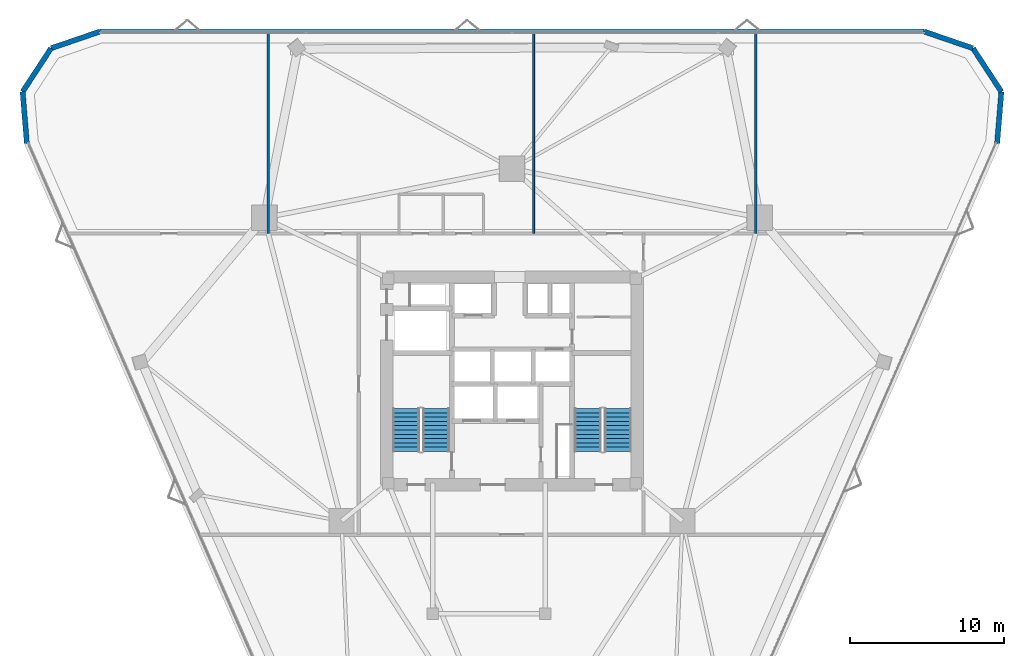
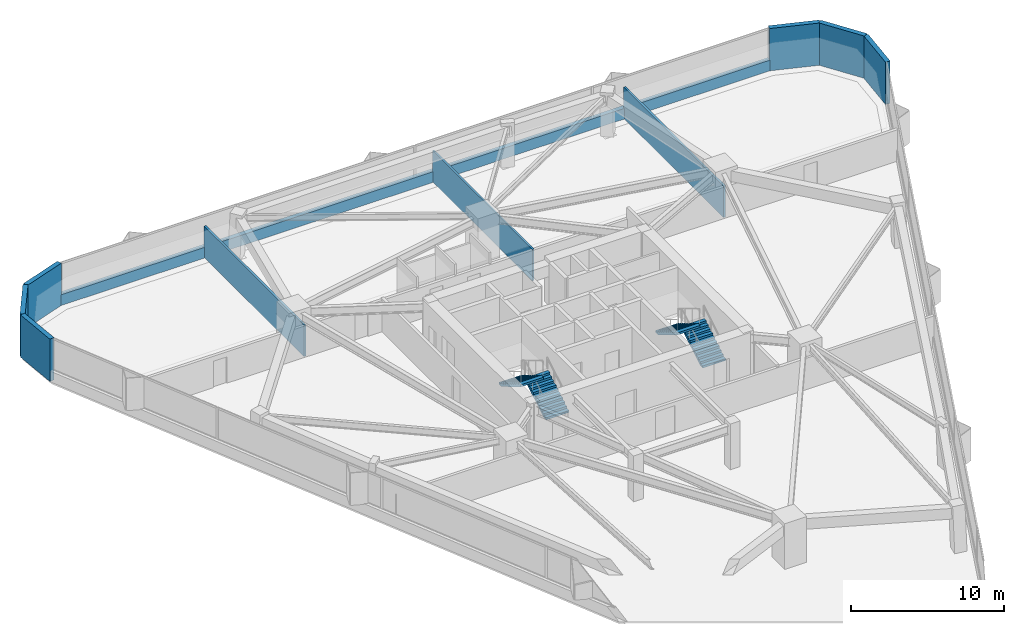
# One storey, part 18 of 20: 10 walls, 4 stair flights, 2 elements without a shape of their own.
"""IFC4 building model written with IfcOpenShell, lengths in metres."""

from ifc_helpers import new_model, si_unit, direction, frame, frame_2d, origin, place, context, subcontext, project, spatial, polyline, rectangle, outline, extrude, material, layer, layer_set, type_object, element, aggregate, save


model = new_model("IFC4")

# Units and contexts
model_context = context("Model", 3, precision=1e-05, world=origin(), true_north=direction((0.0, 1.0)))
body_context = subcontext(model_context, "Body", "Model", "MODEL_VIEW")
ifc_project = project(units=[si_unit("LENGTHUNIT", "METRE"), si_unit("AREAUNIT", "SQUARE_METRE"), si_unit("VOLUMEUNIT", "CUBIC_METRE"), si_unit("PLANEANGLEUNIT", "RADIAN"), si_unit("MASSUNIT", "GRAM", prefix="KILO")], contexts=[model_context])

# Site, building, storey
site_placement = place(None, origin())
site = spatial("IfcSite", under=ifc_project, at=site_placement, CompositionType="ELEMENT")
building_placement = place(site_placement, origin())
building = spatial("IfcBuilding", under=site, at=building_placement, Name="Talyreon Biosciences Tower", CompositionType="ELEMENT")
storey_placement = place(building_placement, frame((0.0, 0.0, 78.64990234375)))
storey = spatial("IfcBuildingStorey", under=building, at=storey_placement, Name="L20", CompositionType="ELEMENT", Elevation=78.64990234375)

# Walls
ifc_material_1 = material(Name="Gypsum acoustic stud partition", Category="gypsum")
ifc_layer_1 = layer(ifc_material_1, 0.159912109375)
ifc_layer_set_1 = layer_set([ifc_layer_1], Name="Gypsum acoustic stud partition")
wall_type_1 = type_object("IfcWallType", Name="LabSeparationPartition_160", PredefinedType="PARTITIONING", material=ifc_layer_set_1)
for number, where, z_axis, x_axis, name in (
    (1, (50.158935546875, 77.580078125, 0.0), (0.0, 0.0, 1.0), (0.0, 1.0, 0.0), "L20 Interior Wall IW-L20-NDIV1"),
    (2, (81.841064453125, 77.580078125, 0.0), (0.0, 0.0, 1.0), (0.0, 1.0, 0.0), "L20 Interior Wall IW-L20-NDIV3"),
):
    element("IfcWall", number, at=place(storey_placement, frame(where, z_axis=z_axis, x_axis=x_axis)), inside=storey, type_object=wall_type_1, Name=name, PredefinedType="PARTITIONING", context=body_context, shape_type="SweptSolid", body=[
        extrude(rectangle(XDim=13.05517578125, YDim=0.159912109375, at=frame_2d((6.527587890625, 0.0))), origin(), (0.0, 0.0, 1.0), 2.505126953125),
    ])
ifc_layer_2 = layer(ifc_material_1, 0.1298828125)
ifc_layer_set_2 = layer_set([ifc_layer_2], Name="Gypsum acoustic stud partition")
wall_type_2 = type_object("IfcWallType", Name="OfficeWriteupPartition_130", PredefinedType="PARTITIONING", material=ifc_layer_set_2)
wall_1_placement = place(storey_placement, frame((67.39990234375, 77.580078125, 0.0), z_axis=(0.0, 0.0, 1.0), x_axis=(0.0, 1.0, 0.0)))
element("IfcWall", 3, at=wall_1_placement, inside=storey, type_object=wall_type_2, Name="L20 Interior Wall IW-L20-NDIV2", PredefinedType="PARTITIONING", context=body_context, shape_type="SweptSolid", body=[
    extrude(rectangle(XDim=13.05517578125, YDim=0.1298828125, at=frame_2d((6.527587890625, 0.0))), origin(), (0.0, 0.0, 1.0), 2.505126953125),
])
ifc_material_2 = material(Name="Precast concrete C45/55", Category="concrete")
ifc_layer_3 = layer(ifc_material_2, 0.340087890625)
ifc_layer_set_3 = layer_set([ifc_layer_3], Name="Precast concrete C45/55")
wall_type_3 = type_object("IfcWallType", Name="PrecastConcreteSpandrelWall_340", PredefinedType="STANDARD", material=ifc_layer_set_3)
for number, where, z_axis, x_axis, name in (
    (4, (34.451171875, 83.436767578125, 0.0), (0.0, 0.0, 1.0), (-0.081668502706, 0.996659548525, 0.0), "L20 Rounded-Corner Concrete Pier 01"),
    (5, (34.175537109375, 86.800537109375, 0.0), (0.0, 0.0, 1.0), (0.547383837671, 0.836881672793, 0.0), "L20 Rounded-Corner Concrete Pier 02"),
    (6, (36.02294921875, 89.625, 0.0), (0.0, 0.0, 1.0), (0.945883789228, 0.324505558158, 0.0), "L20 Rounded-Corner Concrete Pier 03"),
):
    element("IfcWall", number, at=place(storey_placement, frame(where, z_axis=z_axis, x_axis=x_axis)), inside=storey, type_object=wall_type_3, Name=name, PredefinedType="STANDARD", context=body_context, shape_type="SweptSolid", body=[
        extrude(rectangle(XDim=3.375, YDim=0.340087890625, at=frame_2d((1.6875, 0.0))), origin(), (0.0, 0.0, 1.0), 3.375),
    ])
wall_2_placement = place(storey_placement, frame((39.21533203125, 90.72021484375, 0.0), z_axis=(0.0, 0.0, 1.0), x_axis=(1.0, 0.0, 0.0)))
element("IfcWall", 7, at=wall_2_placement, inside=storey, type_object=wall_type_3, Name="L20 Expressed Concrete Sill Wall 04", PredefinedType="STANDARD", context=body_context, shape_type="SweptSolid", body=[
    extrude(rectangle(XDim=53.5693359375, YDim=0.340087890625, at=frame_2d((26.78466796875, 0.0))), origin(), (0.0, 0.0, 1.0), 0.85009765625),
])
for number, where, z_axis, x_axis, name in (
    (8, (92.78466796875, 90.72021484375, 0.0), (0.0, 0.0, 1.0), (0.945883789228, -0.324505558158, 0.0), "L20 Rounded-Corner Concrete Pier 05"),
    (9, (95.97705078125, 89.625, 0.0), (0.0, 0.0, 1.0), (0.547383837671, -0.836881672793, 0.0), "L20 Rounded-Corner Concrete Pier 06"),
    (10, (97.824462890625, 86.800537109375, 0.0), (0.0, 0.0, 1.0), (-0.081668502706, -0.996659548525, 0.0), "L20 Rounded-Corner Concrete Pier 07"),
):
    element("IfcWall", number, at=place(storey_placement, frame(where, z_axis=z_axis, x_axis=x_axis)), inside=storey, type_object=wall_type_3, Name=name, PredefinedType="STANDARD", context=body_context, shape_type="SweptSolid", body=[
        extrude(rectangle(XDim=3.375, YDim=0.340087890625, at=frame_2d((1.6875, 0.0))), origin(), (0.0, 0.0, 1.0), 3.375),
    ])

# Stair, stair flights
ifc_material_3 = material(Name="Concrete C40/50", Category="concrete")
stair_type = type_object("IfcStairType", Name="DoglegEscapeStair_3650", PredefinedType="HALF_TURN_STAIR", material=ifc_material_3)
stair_1_placement = place(storey_placement, origin())
stair_1 = element("IfcStair", 11, at=stair_1_placement, inside=storey, type_object=stair_type, Name="L20 Core Escape Stair 1", PredefinedType="HALF_TURN_STAIR")
stair_flight_type = type_object("IfcStairFlightType", Name="PrecastStairFlight_3650", PredefinedType="STRAIGHT", material=ifc_material_3)
stair_flight_1_placement = place(storey_placement, frame((61.06005859375, 63.39990234375, 0.0), z_axis=(0.0, 0.0, 1.0), x_axis=(0.0, 1.0, 0.0)))
stair_flight_1 = element("IfcStairFlight", 12, at=stair_flight_1_placement, type_object=stair_flight_type, Name="ST-1 flight 1", NumberOfRisers=11, NumberOfTreads=10, PredefinedType="STRAIGHT", RiserHeight=0.165909091, TreadLength=0.28, context=body_context, shape_type="SweptSolid", body=[
    extrude(outline(polyline([(0.0, 0.0), (0.0, 0.166015625), (0.280029296875, 0.166015625), (0.280029296875, 0.331787109375), (0.56005859375, 0.331787109375), (0.56005859375, 0.497802734375), (0.840087890625, 0.497802734375), (0.840087890625, 0.66357421875), (1.1201171875, 0.66357421875), (1.1201171875, 0.82958984375), (1.39990234375, 0.82958984375), (1.39990234375, 0.995361328125), (1.679931640625, 0.995361328125), (1.679931640625, 1.161376953125), (1.9599609375, 1.161376953125), (1.9599609375, 1.327392578125), (2.239990234375, 1.327392578125), (2.239990234375, 1.4931640625), (2.52001953125, 1.4931640625), (2.52001953125, 1.6591796875), (2.800048828125, 1.6591796875), (2.800048828125, 1.824951171875), (2.800048828125, 1.48486328125), (0.2939453125, 0.0), (0.0, 0.0)])), frame((0.0, 0.8701171875, 0.0), z_axis=(0.0, -1.0, 0.0), x_axis=(1.0, 0.0, 0.0)), (0.0, 0.0, 1.0), 1.739990234375),
])
stair_flight_2_placement = place(storey_placement, frame((59.1201171875, 66.199951171875, 1.8251953125), z_axis=(0.0, 0.0, 1.0), x_axis=(0.0, -1.0, 0.0)))
stair_flight_2 = element("IfcStairFlight", 13, at=stair_flight_2_placement, type_object=stair_flight_type, Name="ST-1 flight 2", NumberOfRisers=11, NumberOfTreads=10, PredefinedType="STRAIGHT", RiserHeight=0.165909091, TreadLength=0.28, context=body_context, shape_type="SweptSolid", body=[
    extrude(outline(polyline([(0.0, 0.0), (0.0, 0.166015625), (0.280029296875, 0.166015625), (0.280029296875, 0.331787109375), (0.56005859375, 0.331787109375), (0.56005859375, 0.497802734375), (0.840087890625, 0.497802734375), (0.840087890625, 0.66357421875), (1.1201171875, 0.66357421875), (1.1201171875, 0.82958984375), (1.39990234375, 0.82958984375), (1.39990234375, 0.995361328125), (1.679931640625, 0.995361328125), (1.679931640625, 1.161376953125), (1.9599609375, 1.161376953125), (1.9599609375, 1.327392578125), (2.239990234375, 1.327392578125), (2.239990234375, 1.4931640625), (2.52001953125, 1.4931640625), (2.52001953125, 1.6591796875), (2.800048828125, 1.6591796875), (2.800048828125, 1.824951171875), (2.800048828125, 1.48486328125), (0.2939453125, 0.0), (0.0, 0.0)])), frame((0.0, 0.8701171875, 0.0), z_axis=(0.0, -1.0, 0.0), x_axis=(1.0, 0.0, 0.0)), (0.0, 0.0, 1.0), 1.739990234375),
])
aggregate(stair_1, [stair_flight_1, stair_flight_2])

stair_2_placement = place(storey_placement, origin())
stair_2 = element("IfcStair", 14, at=stair_2_placement, inside=storey, type_object=stair_type, Name="L20 Core Escape Stair 2", PredefinedType="HALF_TURN_STAIR")
stair_flight_3_placement = place(storey_placement, frame((72.8798828125, 63.39990234375, 0.0), z_axis=(0.0, 0.0, 1.0), x_axis=(0.0, 1.0, 0.0)))
stair_flight_3 = element("IfcStairFlight", 15, at=stair_flight_3_placement, type_object=stair_flight_type, Name="ST-2 flight 1", NumberOfRisers=11, NumberOfTreads=10, PredefinedType="STRAIGHT", RiserHeight=0.165909091, TreadLength=0.28, context=body_context, shape_type="SweptSolid", body=[
    extrude(outline(polyline([(0.0, 0.0), (0.0, 0.166015625), (0.280029296875, 0.166015625), (0.280029296875, 0.331787109375), (0.56005859375, 0.331787109375), (0.56005859375, 0.497802734375), (0.840087890625, 0.497802734375), (0.840087890625, 0.66357421875), (1.1201171875, 0.66357421875), (1.1201171875, 0.82958984375), (1.39990234375, 0.82958984375), (1.39990234375, 0.995361328125), (1.679931640625, 0.995361328125), (1.679931640625, 1.161376953125), (1.9599609375, 1.161376953125), (1.9599609375, 1.327392578125), (2.239990234375, 1.327392578125), (2.239990234375, 1.4931640625), (2.52001953125, 1.4931640625), (2.52001953125, 1.6591796875), (2.800048828125, 1.6591796875), (2.800048828125, 1.824951171875), (2.800048828125, 1.48486328125), (0.2939453125, 0.0), (0.0, 0.0)])), frame((0.0, 0.8701171875, 0.0), z_axis=(0.0, -1.0, 0.0), x_axis=(1.0, 0.0, 0.0)), (0.0, 0.0, 1.0), 1.739990234375),
])
stair_flight_4_placement = place(storey_placement, frame((70.93994140625, 66.199951171875, 1.8251953125), z_axis=(0.0, 0.0, 1.0), x_axis=(0.0, -1.0, 0.0)))
stair_flight_4 = element("IfcStairFlight", 16, at=stair_flight_4_placement, type_object=stair_flight_type, Name="ST-2 flight 2", NumberOfRisers=11, NumberOfTreads=10, PredefinedType="STRAIGHT", RiserHeight=0.165909091, TreadLength=0.28, context=body_context, shape_type="SweptSolid", body=[
    extrude(outline(polyline([(0.0, 0.0), (0.0, 0.166015625), (0.280029296875, 0.166015625), (0.280029296875, 0.331787109375), (0.56005859375, 0.331787109375), (0.56005859375, 0.497802734375), (0.840087890625, 0.497802734375), (0.840087890625, 0.66357421875), (1.1201171875, 0.66357421875), (1.1201171875, 0.82958984375), (1.39990234375, 0.82958984375), (1.39990234375, 0.995361328125), (1.679931640625, 0.995361328125), (1.679931640625, 1.161376953125), (1.9599609375, 1.161376953125), (1.9599609375, 1.327392578125), (2.239990234375, 1.327392578125), (2.239990234375, 1.4931640625), (2.52001953125, 1.4931640625), (2.52001953125, 1.6591796875), (2.800048828125, 1.6591796875), (2.800048828125, 1.824951171875), (2.800048828125, 1.48486328125), (0.2939453125, 0.0), (0.0, 0.0)])), frame((0.0, 0.8701171875, 0.0), z_axis=(0.0, -1.0, 0.0), x_axis=(1.0, 0.0, 0.0)), (0.0, 0.0, 1.0), 1.739990234375),
])
aggregate(stair_2, [stair_flight_3, stair_flight_4])

save(model, "model.ifc")
